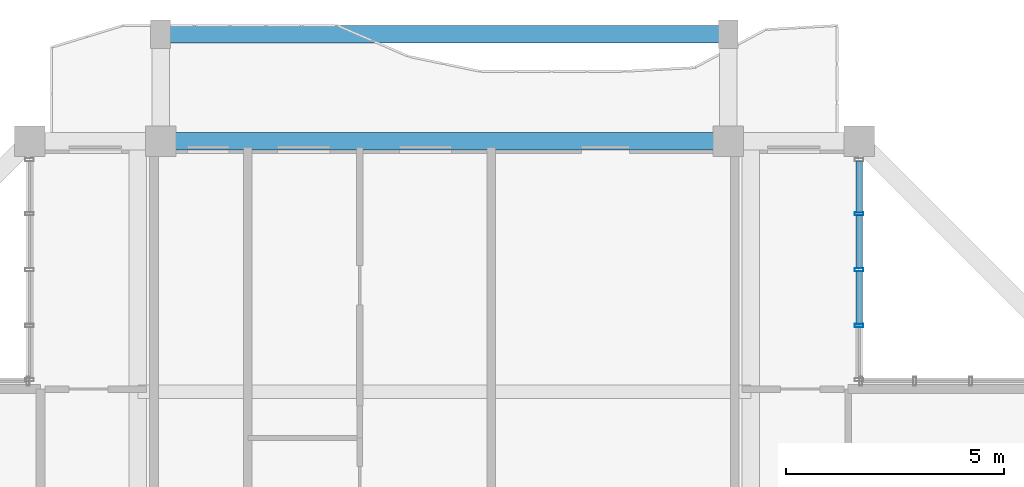
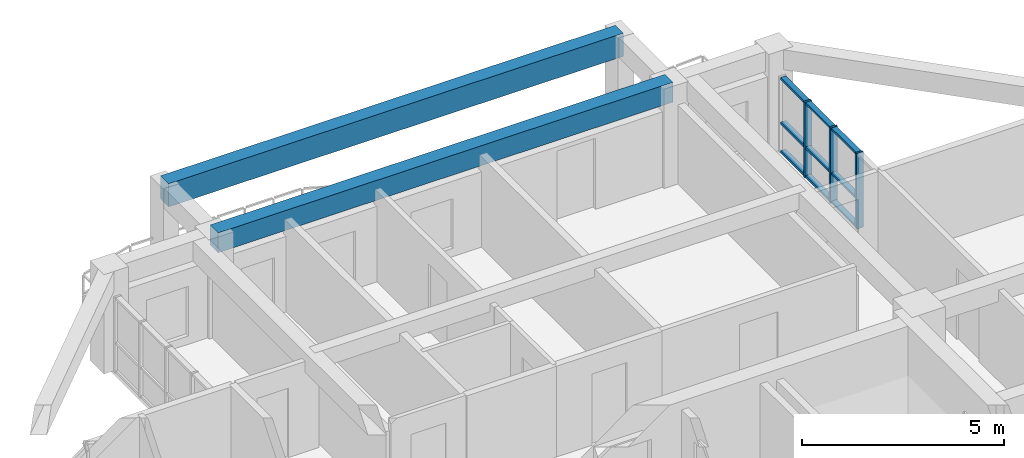
# One storey, part 11 of 24: 12 members, 2 beams, 1 element without a shape of its own.
"""IFC4 building model written with IfcOpenShell, lengths in metres."""

from ifc_helpers import new_model, si_unit, direction, frame, origin, origin_2d, place, context, subcontext, project, spatial, rectangle, hollow_rectangle, extrude, source, transform, mapped, material, layer, layer_set, material_profile, profile_set, type_object, element, aggregate, save


model = new_model("IFC4")

# Units and contexts
model_context = context("Model", 3, precision=1e-05, world=origin(), true_north=direction((0.0, 1.0)))
body_context = subcontext(model_context, "Body", "Model", "MODEL_VIEW")
ifc_project = project(units=[si_unit("LENGTHUNIT", "METRE"), si_unit("AREAUNIT", "SQUARE_METRE"), si_unit("VOLUMEUNIT", "CUBIC_METRE"), si_unit("PLANEANGLEUNIT", "RADIAN"), si_unit("MASSUNIT", "GRAM", prefix="KILO")], contexts=[model_context])

# Site, building, storey
site_placement = place(None, origin())
site = spatial("IfcSite", under=ifc_project, at=site_placement, CompositionType="ELEMENT")
building_placement = place(site_placement, origin())
building = spatial("IfcBuilding", under=site, at=building_placement, Name="Saelheon Loggia Tower", CompositionType="ELEMENT")
storey_placement = place(building_placement, frame((0.0, 0.0, 246.0)))
storey = spatial("IfcBuildingStorey", under=building, at=storey_placement, Name="L76", CompositionType="ELEMENT", Elevation=246.0)

# Beams
ifc_material_1 = material(Name="Precast Concrete C45/55", Category="concrete")
ifc_material_profile_1 = material_profile(ifc_material_1, rectangle(XDim=0.39990234375, YDim=0.699951171875, at=origin_2d()), Name="RC-400x700")
ifc_profile_set_1 = profile_set([ifc_material_profile_1], Name="Precast Concrete C45/55")
beam_type_1 = type_object("IfcBeamType", Name="Beam_LoggiaSpandrel_RC400x700", PredefinedType="SPANDREL", material=ifc_profile_set_1)
shared_shape_1 = source(origin(), body_context, "Body", "SweptSolid", [
    extrude(rectangle(XDim=0.39990234375, YDim=0.699951171875, at=origin_2d()), origin(), (0.0, 0.0, 1.0), 13.0),
])
beam_1_placement = place(storey_placement, frame((31.5, 50.449951171875, 2.64990234375), z_axis=(1.0, 0.0, 0.0), x_axis=(0.0, 1.0, 0.0)))
element("IfcBeam", 1, at=beam_1_placement, inside=storey, type_object=beam_type_1, Name="L76 Loggia Spandrel Beam N", PredefinedType="SPANDREL", context=body_context, shape_type="MappedRepresentation", body=[
    mapped(shared_shape_1, transform((0.0, 0.0, 0.0), scale=1.0)),
])
ifc_material_2 = material(Name="Concrete C40/50", Category="concrete")
ifc_material_profile_2 = material_profile(ifc_material_2, rectangle(XDim=0.39990234375, YDim=0.60009765625, at=origin_2d()), Name="RC-400x600")
ifc_profile_set_2 = profile_set([ifc_material_profile_2], Name="Concrete C40/50")
beam_type_2 = type_object("IfcBeamType", Name="Beam_PerimUpper_RC400x600", PredefinedType="BEAM", material=ifc_profile_set_2)
shared_shape_2 = source(origin(), body_context, "Body", "SweptSolid", [
    extrude(rectangle(XDim=0.39990234375, YDim=0.60009765625, at=origin_2d()), origin(), (0.0, 0.0, 1.0), 13.0),
])
beam_2_placement = place(storey_placement, frame((44.5, 48.0, 2.699951171875), z_axis=(-1.0, 0.0, 0.0), x_axis=(0.0, -1.0, 0.0)))
element("IfcBeam", 2, at=beam_2_placement, inside=storey, type_object=beam_type_2, Name="L76 Perimeter Frame Girder 10", PredefinedType="BEAM", context=body_context, shape_type="MappedRepresentation", body=[
    mapped(shared_shape_2, transform((0.0, 0.0, 0.0), scale=1.0)),
])

# Curtain wall, members
ifc_material_3 = material(Name="High-Wind Aluminium and Triple Laminated Glass", Category="aluminium")
ifc_layer = layer(ifc_material_3, 0.179931640625)
ifc_layer_set = layer_set([ifc_layer], Name="High-Wind Aluminium and Triple Laminated Glass")
curtain_wall_type = type_object("IfcCurtainWallType", Name="CW_TowerLoggiaHigh", PredefinedType="NOTDEFINED", material=ifc_layer_set)
curtain_wall_placement = place(storey_placement, origin())
curtain_wall = element("IfcCurtainWall", 3, at=curtain_wall_placement, inside=storey, type_object=curtain_wall_type, Name="L76 Corner Notch Glazing NE1", PredefinedType="NOTDEFINED")
ifc_material_4 = material(Name="Anodised Aluminium 6063-T6", Category="aluminium")
ifc_material_profile_3 = material_profile(ifc_material_4, hollow_rectangle(XDim=0.070068359375, YDim=0.199951171875, WallThickness=0.0048828125, at=origin_2d()), Name="RHS-200x70x5")
ifc_profile_set_3 = profile_set([ifc_material_profile_3], Name="Anodised Aluminium 6063-T6")
member_type_1 = type_object("IfcMemberType", Name="CW_TowerLoggiaHigh_Mullion", PredefinedType="MULLION", material=ifc_profile_set_3)
shared_shape_3 = source(origin(), body_context, "Body", "SweptSolid", [
    extrude(hollow_rectangle(XDim=0.070068359375, YDim=0.199951171875, WallThickness=0.0048828125, at=origin_2d()), origin(), (0.0, 0.0, 1.0), 2.280029296875),
])
member_1_placement = place(storey_placement, frame((47.5, 43.777587890625, 0.0), z_axis=(0.0, 0.0, 1.0), x_axis=(0.0, 1.0, 0.0)))
member_1 = element("IfcMember", 4, at=member_1_placement, type_object=member_type_1, Name="CW4 mullion 2", PredefinedType="MULLION", context=body_context, shape_type="MappedRepresentation", body=[
    mapped(shared_shape_3, transform((0.0, 0.0, 0.0), scale=1.0)),
])
member_2_placement = place(storey_placement, frame((47.5, 45.054931640625, 0.0), z_axis=(0.0, 0.0, 1.0), x_axis=(0.0, 1.0, 0.0)))
member_2 = element("IfcMember", 5, at=member_2_placement, type_object=member_type_1, Name="CW4 mullion 3", PredefinedType="MULLION", context=body_context, shape_type="MappedRepresentation", body=[
    mapped(shared_shape_3, transform((0.0, 0.0, 0.0), scale=1.0)),
])
member_3_placement = place(storey_placement, frame((47.5, 46.33251953125, 0.0), z_axis=(0.0, 0.0, 1.0), x_axis=(0.0, 1.0, 0.0)))
member_3 = element("IfcMember", 6, at=member_3_placement, type_object=member_type_1, Name="CW4 mullion 4", PredefinedType="MULLION", context=body_context, shape_type="MappedRepresentation", body=[
    mapped(shared_shape_3, transform((0.0, 0.0, 0.0), scale=1.0)),
])
ifc_material_profile_4 = material_profile(ifc_material_4, hollow_rectangle(XDim=0.070068359375, YDim=0.14990234375, WallThickness=0.0048828125, at=origin_2d()), Name="RHS-150x70x5")
ifc_profile_set_4 = profile_set([ifc_material_profile_4], Name="Anodised Aluminium 6063-T6")
member_type_2 = type_object("IfcMemberType", Name="CW_TowerLoggiaHigh_Transom", PredefinedType="USERDEFINED", material=ifc_profile_set_4)
shared_shape_4 = source(origin(), body_context, "Body", "SweptSolid", [
    extrude(hollow_rectangle(XDim=0.070068359375, YDim=0.14990234375, WallThickness=0.0048828125, at=origin_2d()), origin(), (0.0, 0.0, 1.0), 1.172607421875),
])
member_4_placement = place(storey_placement, frame((47.5, 46.367431640625, 0.034912109375), z_axis=(0.0, 1.0, 0.0), x_axis=(0.0, 0.0, 1.0)))
member_4 = element("IfcMember", 7, at=member_4_placement, type_object=member_type_2, Name="CW4 transom 4.1", ObjectType="TRANSOM", PredefinedType="USERDEFINED", context=body_context, shape_type="MappedRepresentation", body=[
    mapped(shared_shape_4, transform((0.0, 0.0, 0.0), scale=1.0)),
])
member_5_placement = place(storey_placement, frame((47.5, 46.367431640625, 0.89990234375), z_axis=(0.0, 1.0, 0.0), x_axis=(0.0, 0.0, 1.0)))
member_5 = element("IfcMember", 8, at=member_5_placement, type_object=member_type_2, Name="CW4 transom 4.2", ObjectType="TRANSOM", PredefinedType="USERDEFINED", context=body_context, shape_type="MappedRepresentation", body=[
    mapped(shared_shape_4, transform((0.0, 0.0, 0.0), scale=1.0)),
])
member_6_placement = place(storey_placement, frame((47.5, 46.367431640625, 2.2451171875), z_axis=(0.0, 1.0, 0.0), x_axis=(0.0, 0.0, 1.0)))
member_6 = element("IfcMember", 9, at=member_6_placement, type_object=member_type_2, Name="CW4 transom 4.3", ObjectType="TRANSOM", PredefinedType="USERDEFINED", context=body_context, shape_type="MappedRepresentation", body=[
    mapped(shared_shape_4, transform((0.0, 0.0, 0.0), scale=1.0)),
])
shared_shape_5 = source(origin(), body_context, "Body", "SweptSolid", [
    extrude(hollow_rectangle(XDim=0.070068359375, YDim=0.14990234375, WallThickness=0.0048828125, at=origin_2d()), origin(), (0.0, 0.0, 1.0), 1.20751953125),
])
member_7_placement = place(storey_placement, frame((47.5, 43.8125, 0.034912109375), z_axis=(0.0, 1.0, 0.0), x_axis=(0.0, 0.0, 1.0)))
member_7 = element("IfcMember", 10, at=member_7_placement, type_object=member_type_2, Name="CW4 transom 2.1", ObjectType="TRANSOM", PredefinedType="USERDEFINED", context=body_context, shape_type="MappedRepresentation", body=[
    mapped(shared_shape_5, transform((0.0, 0.0, 0.0), scale=1.0)),
])
member_8_placement = place(storey_placement, frame((47.5, 43.8125, 0.89990234375), z_axis=(0.0, 1.0, 0.0), x_axis=(0.0, 0.0, 1.0)))
member_8 = element("IfcMember", 11, at=member_8_placement, type_object=member_type_2, Name="CW4 transom 2.2", ObjectType="TRANSOM", PredefinedType="USERDEFINED", context=body_context, shape_type="MappedRepresentation", body=[
    mapped(shared_shape_5, transform((0.0, 0.0, 0.0), scale=1.0)),
])
member_9_placement = place(storey_placement, frame((47.5, 43.8125, 2.2451171875), z_axis=(0.0, 1.0, 0.0), x_axis=(0.0, 0.0, 1.0)))
member_9 = element("IfcMember", 12, at=member_9_placement, type_object=member_type_2, Name="CW4 transom 2.3", ObjectType="TRANSOM", PredefinedType="USERDEFINED", context=body_context, shape_type="MappedRepresentation", body=[
    mapped(shared_shape_5, transform((0.0, 0.0, 0.0), scale=1.0)),
])
member_10_placement = place(storey_placement, frame((47.5, 45.090087890625, 0.034912109375), z_axis=(0.0, 1.0, 0.0), x_axis=(0.0, 0.0, 1.0)))
member_10 = element("IfcMember", 13, at=member_10_placement, type_object=member_type_2, Name="CW4 transom 3.1", ObjectType="TRANSOM", PredefinedType="USERDEFINED", context=body_context, shape_type="MappedRepresentation", body=[
    mapped(shared_shape_5, transform((0.0, 0.0, 0.0), scale=1.0)),
])
member_11_placement = place(storey_placement, frame((47.5, 45.090087890625, 0.89990234375), z_axis=(0.0, 1.0, 0.0), x_axis=(0.0, 0.0, 1.0)))
member_11 = element("IfcMember", 14, at=member_11_placement, type_object=member_type_2, Name="CW4 transom 3.2", ObjectType="TRANSOM", PredefinedType="USERDEFINED", context=body_context, shape_type="MappedRepresentation", body=[
    mapped(shared_shape_5, transform((0.0, 0.0, 0.0), scale=1.0)),
])
member_12_placement = place(storey_placement, frame((47.5, 45.090087890625, 2.2451171875), z_axis=(0.0, 1.0, 0.0), x_axis=(0.0, 0.0, 1.0)))
member_12 = element("IfcMember", 15, at=member_12_placement, type_object=member_type_2, Name="CW4 transom 3.3", ObjectType="TRANSOM", PredefinedType="USERDEFINED", context=body_context, shape_type="MappedRepresentation", body=[
    mapped(shared_shape_5, transform((0.0, 0.0, 0.0), scale=1.0)),
])
aggregate(curtain_wall, [member_1, member_2, member_3, member_7, member_8, member_9, member_10, member_11, member_12, member_4, member_5, member_6])

save(model, "model.ifc")
